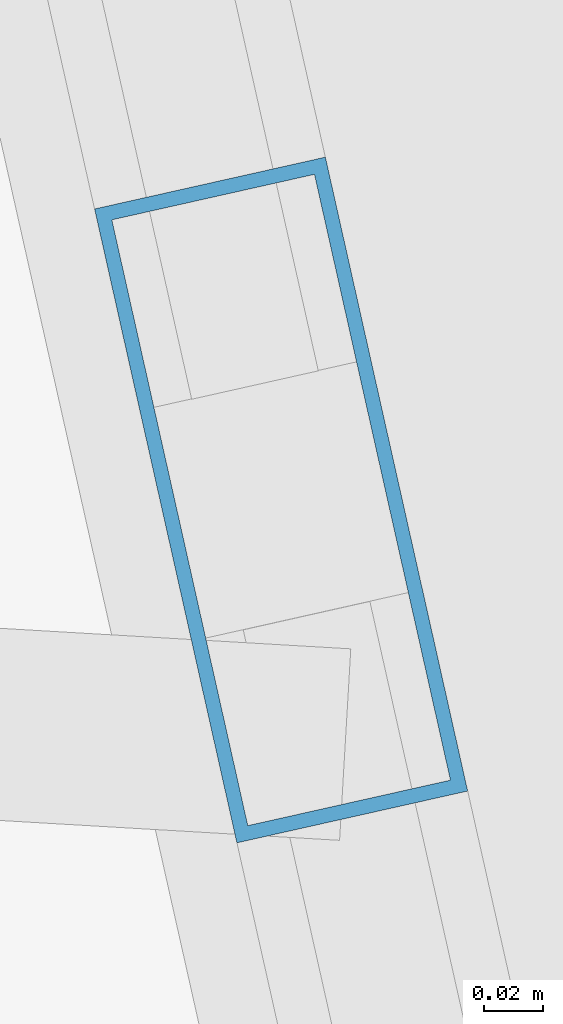
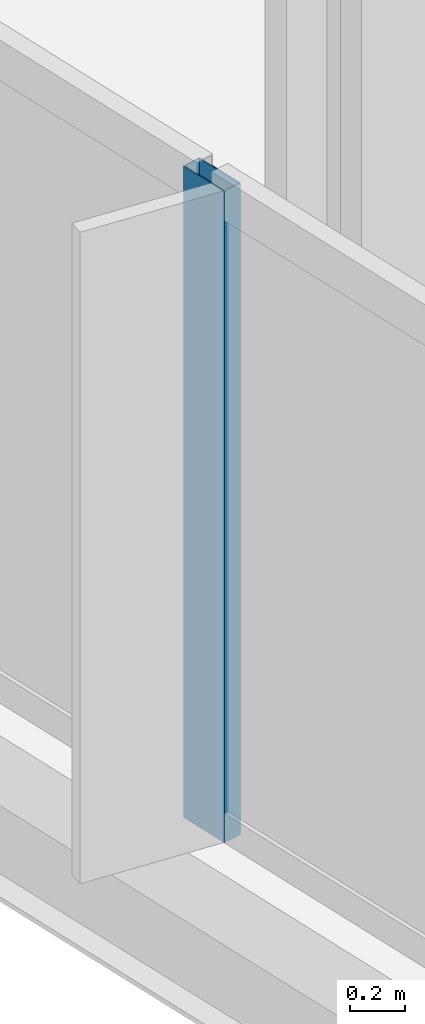
# One storey, part 5 of 32: 1 member, 1 element without a shape of its own.
"""IFC4 building model written with IfcOpenShell, lengths in metres."""

from ifc_helpers import new_model, si_unit, direction, frame, origin, origin_2d, place, context, subcontext, project, spatial, hollow_rectangle, extrude, material, material_profile, profile_set, type_object, element, aggregate, save


model = new_model("IFC4")

# Units and contexts
model_context = context("Model", 3, precision=1e-05, world=origin(), true_north=direction((0.0, 1.0)))
body_context = subcontext(model_context, "Body", "Model", "MODEL_VIEW")
ifc_project = project(units=[si_unit("LENGTHUNIT", "METRE"), si_unit("AREAUNIT", "SQUARE_METRE"), si_unit("VOLUMEUNIT", "CUBIC_METRE"), si_unit("PLANEANGLEUNIT", "RADIAN"), si_unit("MASSUNIT", "GRAM", prefix="KILO")], contexts=[model_context])

# Site, building, storey
site_placement = place(None, origin())
site = spatial("IfcSite", under=ifc_project, at=site_placement, CompositionType="ELEMENT")
building_placement = place(site_placement, origin())
building = spatial("IfcBuilding", under=site, at=building_placement, Name="Haldenkirk Collegiate Tower", CompositionType="ELEMENT")
storey_placement = place(building_placement, frame((0.0, 0.0, 70.199951171875)))
storey = spatial("IfcBuildingStorey", under=building, at=storey_placement, Name="L16", CompositionType="ELEMENT", Elevation=70.199951171875)

# Curtain wall, member
ifc_material = material(Name="Anodised architectural bronze aluminium", Category="aluminium")
curtain_wall_type = type_object("IfcCurtainWallType", Name="CW-SYS1-CONVEX-LOW", PredefinedType="USERDEFINED", material=ifc_material)
curtain_wall_placement = place(storey_placement, origin())
curtain_wall = element("IfcCurtainWall", 1, at=curtain_wall_placement, inside=storey, type_object=curtain_wall_type, Name="L16 Lower tower convex bronze-framed unitised curtain wall", ObjectType="UNITISED CURTAIN WALL", PredefinedType="USERDEFINED")
ifc_material_profile = material_profile(ifc_material, hollow_rectangle(XDim=0.080078125, YDim=0.219970703125, WallThickness=0.0048828125, at=origin_2d()), Name="CW-MUL-1A")
ifc_profile_set = profile_set([ifc_material_profile], Name="Anodised architectural bronze aluminium")
member_type = type_object("IfcMemberType", Name="CW-MUL-1A", PredefinedType="MULLION", material=ifc_profile_set)
member_placement = place(storey_placement, frame((10.082275390625, 20.605712890625, 0.0), z_axis=(0.0, 0.0, 1.0), x_axis=(-0.975726030258, -0.218994780479, 0.0)))
member = element("IfcMember", 2, at=member_placement, type_object=member_type, Name="CW-1A mullion 3", PredefinedType="MULLION", context=body_context, shape_type="SweptSolid", body=[
    extrude(hollow_rectangle(XDim=0.080078125, YDim=0.219970703125, WallThickness=0.0048828125, at=origin_2d()), origin(), (0.0, 0.0, 1.0), 2.89111328125),
])
aggregate(curtain_wall, [member])

save(model, "model.ifc")
